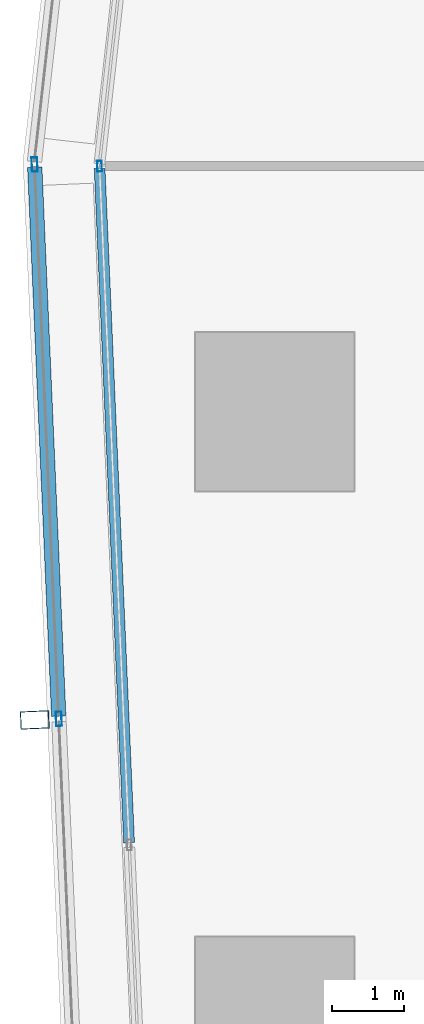
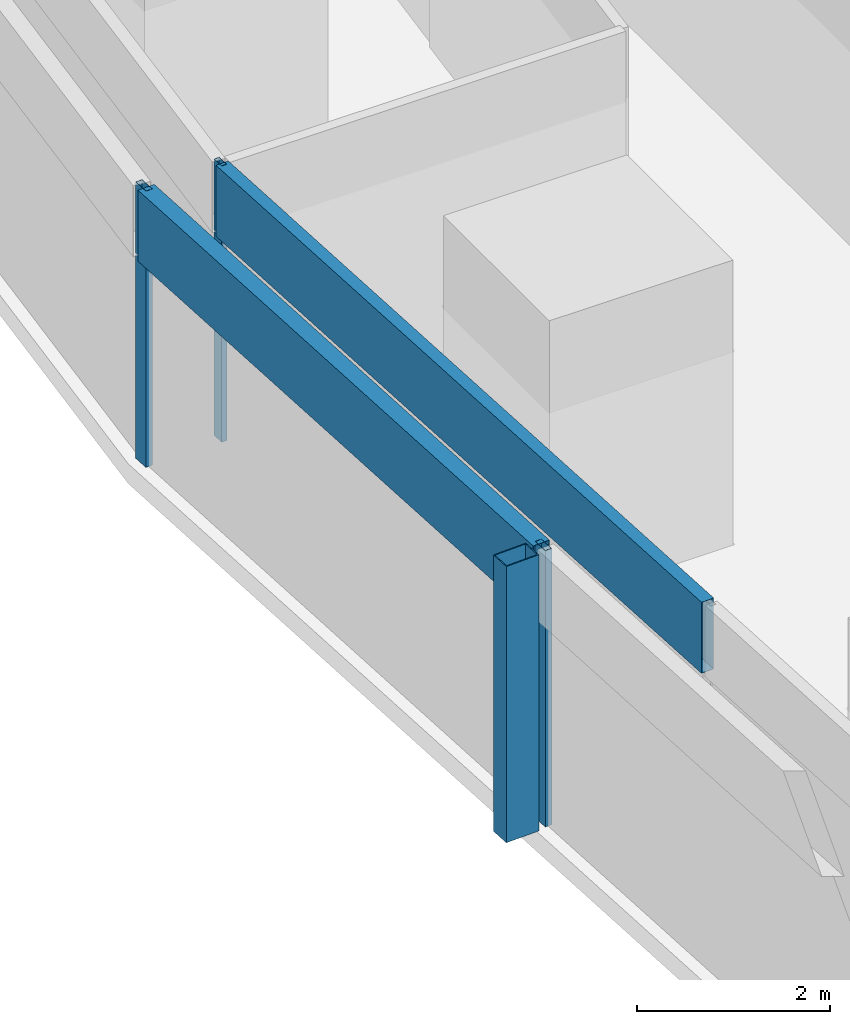
# One storey, part 14 of 44: 6 members, 2 elements without a shape of their own.
"""IFC4 building model written with IfcOpenShell, lengths in metres."""

import ifcopenshell
import ifcopenshell.guid

model = None  # the IFC model being written
_history = None  # IfcOwnerHistory: only IFC2X3 demands one
_inside = {}  # id of a spatial element -> (the spatial element, [elements in it])
_under = {}  # id of a project, library or spatial element -> (it, [spatial elements below it])
_declared = {}  # id of a project -> (the project, [libraries it declares])
_typed = {}  # id of a type object -> (the type object, [elements of that type])
_made_of = {}  # id of a material, layer set ... -> (it, [elements and type objects made of it])


def new_model(schema):
    """Start an empty IFC model of exactly this schema.

    Asked for "IFC4X3", IfcOpenShell would pick the latest addendum, in which some entities
    have other attributes; the version numbers below select the first issue.
    IFC2X3 requires an IfcOwnerHistory on every rooted entity: one is made here for all.
    """
    global model, _history
    if schema == "IFC4X3":
        model = ifcopenshell.file(schema_version=(4, 3, 0, 0))
    else:
        model = ifcopenshell.file(schema=schema)
    _inside.clear()
    _under.clear()
    _declared.clear()
    _typed.clear()
    _made_of.clear()
    _history = None
    if model.schema == "IFC2X3":
        org = make("IfcOrganization", Name="unknown")
        user = make(
            "IfcPersonAndOrganization",
            ThePerson=make("IfcPerson", FamilyName="unknown"),
            TheOrganization=org,
        )
        app = make(
            "IfcApplication",
            ApplicationDeveloper=org,
            Version="unknown",
            ApplicationFullName="unknown",
            ApplicationIdentifier="unknown",
        )
        _history = make(
            "IfcOwnerHistory",
            OwningUser=user,
            OwningApplication=app,
            ChangeAction="ADDED",
            CreationDate=0,
        )
    return model


def make(cls, **values):
    """One entity of the class cls with the attributes given. An attribute that is None is left unset."""
    return model.create_entity(
        cls, **{name: value for name, value in values.items() if value is not None}
    )


def rooted(cls, **values):
    """An entity with a GlobalId (a new one), such as an element, a storey or a relation."""
    return make(cls, GlobalId=ifcopenshell.guid.new(), OwnerHistory=_history, **values)


def si_unit(unit_type, name, prefix=None):
    """IfcSIUnit, for example si_unit("LENGTHUNIT", "METRE", prefix="MILLI")."""
    return make("IfcSIUnit", UnitType=unit_type, Prefix=prefix, Name=name)


def assignment(units):
    """IfcUnitAssignment: the units of a project."""
    return None if units is None else make("IfcUnitAssignment", Units=units)


def point(xyz):
    """IfcCartesianPoint."""
    return None if xyz is None else make("IfcCartesianPoint", Coordinates=xyz)


def direction(xyz):
    """IfcDirection."""
    return None if xyz is None else make("IfcDirection", DirectionRatios=xyz)


def frame(location, z_axis=None, x_axis=None):
    """IfcAxis2Placement3D, a coordinate frame: its origin and axes. An axis left out is left unset."""
    return make(
        "IfcAxis2Placement3D",
        Location=point(location),
        Axis=direction(z_axis),
        RefDirection=direction(x_axis),
    )


def frame_2d(location, x_axis=None):
    """IfcAxis2Placement2D, a coordinate frame in the plane: its origin and x axis."""
    return make(
        "IfcAxis2Placement2D", Location=point(location), RefDirection=direction(x_axis)
    )


def origin():
    """The frame at (0, 0, 0) with its axes left unset."""
    return frame((0.0, 0.0, 0.0))


def origin_2d():
    """The frame at (0, 0) in the plane with its x axis left unset."""
    return frame_2d((0.0, 0.0))


def place(relative_to, where):
    """IfcLocalPlacement: puts the frame where relative to a parent placement (None: the world)."""
    return make(
        "IfcLocalPlacement", PlacementRelTo=relative_to, RelativePlacement=where
    )


def context(
    kind, dimensions, precision=None, world=None, true_north=None, identifier=None
):
    """IfcGeometricRepresentationContext, for example the 3D "Model" context."""
    return make(
        "IfcGeometricRepresentationContext",
        ContextIdentifier=identifier,
        ContextType=kind,
        CoordinateSpaceDimension=dimensions,
        Precision=precision,
        WorldCoordinateSystem=world,
        TrueNorth=true_north,
    )


def subcontext(parent, identifier, kind, view, scale=None):
    """IfcGeometricRepresentationSubContext, for example "Body" below "Model"."""
    return make(
        "IfcGeometricRepresentationSubContext",
        ContextIdentifier=identifier,
        ContextType=kind,
        ParentContext=parent,
        TargetScale=scale,
        TargetView=view,
    )


def project(units=None, contexts=None):
    """IfcProject with its units and contexts."""
    return rooted(
        "IfcProject",
        Name="project",
        RepresentationContexts=contexts,
        UnitsInContext=assignment(units),
    )


def spatial(cls, under=None, at=None, **own):
    """A site, building, storey or space (cls), placed at a placement, below another one or the project."""
    s = rooted(cls, ObjectPlacement=at, **own)
    if under is not None:
        _under.setdefault(under.id(), (under, []))[1].append(s)
    return s


def profile(cls, at=None, kind="AREA", **sizes):
    """A parametric profile (cls). Its sizes go by their IFC names, for example OverallWidth=200.0."""
    return make(cls, ProfileType=kind, Position=at, **sizes)


def hollow_rectangle(**sizes):
    """IfcRectangleHollowProfileDef."""
    return profile("IfcRectangleHollowProfileDef", **sizes)


def extrude(swept, where, along, depth):
    """IfcExtrudedAreaSolid: the profile swept, set in the frame where, extruded along a direction by depth."""
    return make(
        "IfcExtrudedAreaSolid",
        SweptArea=swept,
        Position=where,
        ExtrudedDirection=direction(along),
        Depth=depth,
    )


def shape(context_of_items, identifier, shape_type, items):
    """IfcShapeRepresentation: the items that make up one representation, for example the "Body"."""
    return make(
        "IfcShapeRepresentation",
        ContextOfItems=context_of_items,
        RepresentationIdentifier=identifier,
        RepresentationType=shape_type,
        Items=items,
    )


def material(Name=None, Category=None):
    """IfcMaterial."""
    return make("IfcMaterial", Name=Name, Category=Category)


def material_profile(
    of_material, cross_section, Name=None, Category=None, Priority=None
):
    """IfcMaterialProfile: a cross section and its material."""
    return make(
        "IfcMaterialProfile",
        Name=Name,
        Material=of_material,
        Profile=cross_section,
        Priority=Priority,
        Category=Category,
    )


def profile_set(profiles, Name=None, composite=None):
    """IfcMaterialProfileSet."""
    return make(
        "IfcMaterialProfileSet",
        Name=Name,
        MaterialProfiles=profiles,
        CompositeProfile=composite,
    )


def made_of(thing, what):
    """Note that an element or type object is made of a material, layer set ...; save() writes the relation."""
    if what is not None:
        _made_of.setdefault(what.id(), (what, []))[1].append(thing)
    return thing


def type_object(cls, material=None, **own):
    """A type object (cls), such as IfcWallType, which elements share."""
    return made_of(rooted(cls, **own), material)


def element(
    cls,
    number,
    at=None,
    inside=None,
    cuts=None,
    type_object=None,
    material=None,
    context=None,
    identifier="Body",
    shape_type=None,
    held_by="IfcProductDefinitionShape",
    body=None,
    shapes=None,
    **own,
):
    """One element of the class cls, such as IfcWall. Its Tag is "e" and its number.

    at: its placement. inside: the storey or other place that contains it. cuts: it is an
    opening in that element (IfcRelVoidsElement). A single representation is given by context,
    identifier, shape_type and body (its items); several are given by shapes. held_by: the class
    of the entity that holds the representations. save() writes the other relations.
    """
    e = rooted(cls, Tag="e%d" % number, ObjectPlacement=at, **own)
    if body is not None:
        shapes = [shape(context, identifier, shape_type, body)]
    if shapes is not None:
        e.Representation = make(held_by, Representations=shapes)
    if inside is not None:
        _inside.setdefault(inside.id(), (inside, []))[1].append(e)
    if cuts is not None:
        rooted(
            "IfcRelVoidsElement", RelatingBuildingElement=cuts, RelatedOpeningElement=e
        )
    if type_object is not None:
        _typed.setdefault(type_object.id(), (type_object, []))[1].append(e)
    return made_of(e, material)


def aggregate(whole, parts):
    """IfcRelAggregates: a whole, such as a stair, and the parts it consists of."""
    return rooted("IfcRelAggregates", RelatingObject=whole, RelatedObjects=parts)


def save(model, path):
    """Write the relations noted so far, then the file.

    IfcRelAggregates (storeys below a building ...), IfcRelContainedInSpatialStructure (elements
    in a storey), IfcRelDefinesByType, IfcRelAssociatesMaterial and IfcRelDeclares: one each for
    every whole, place, type object, material and project.
    """
    for whole, parts in _under.values():
        aggregate(whole, parts)
    for where, things in _inside.values():
        rooted(
            "IfcRelContainedInSpatialStructure",
            RelatedElements=things,
            RelatingStructure=where,
        )
    for kind, things in _typed.values():
        rooted("IfcRelDefinesByType", RelatedObjects=things, RelatingType=kind)
    for what, things in _made_of.values():
        rooted("IfcRelAssociatesMaterial", RelatedObjects=things, RelatingMaterial=what)
    for by, libraries in _declared.values():
        rooted("IfcRelDeclares", RelatingContext=by, RelatedDefinitions=libraries)
    model.write(path)


model = new_model("IFC4")

# Units and contexts
model_context = context("Model", 3, precision=1e-05, world=origin(), true_north=direction((0.0, 1.0)))
body_context = subcontext(model_context, "Body", "Model", "MODEL_VIEW")
ifc_project = project(units=[si_unit("LENGTHUNIT", "METRE"), si_unit("AREAUNIT", "SQUARE_METRE"), si_unit("VOLUMEUNIT", "CUBIC_METRE"), si_unit("PLANEANGLEUNIT", "RADIAN"), si_unit("MASSUNIT", "GRAM", prefix="KILO")], contexts=[model_context])

# Site, building, storey
site_placement = place(None, origin())
site = spatial("IfcSite", under=ifc_project, at=site_placement, CompositionType="ELEMENT")
building_placement = place(site_placement, origin())
building = spatial("IfcBuilding", under=site, at=building_placement, Name="Rekha Terrace Tower", CompositionType="ELEMENT")
storey_placement = place(building_placement, frame((0.0, 0.0, 51.64990234375)))
storey = spatial("IfcBuildingStorey", under=building, at=storey_placement, Name="L12", CompositionType="ELEMENT", Elevation=51.64990234375)

# Curtain wall, member
ifc_material_1 = material(Name="Aluminium framing", Category="aluminium")
curtain_wall_type_1 = type_object("IfcCurtainWallType", Name="CW2 double skin outer glazing", PredefinedType="USERDEFINED", material=ifc_material_1)
curtain_wall_1_placement = place(storey_placement, origin())
curtain_wall_1 = element("IfcCurtainWall", 1, at=curtain_wall_1_placement, inside=storey, type_object=curtain_wall_type_1, Name="CW2 double skin outer glazing", ObjectType="DOUBLE SKIN OUTER GLAZING", PredefinedType="USERDEFINED")
ifc_material_2 = material(Name="Steel S355 with fluorocarbon finish", Category="steel")
ifc_material_profile_1 = material_profile(ifc_material_2, hollow_rectangle(XDim=0.25, YDim=0.39990234375, WallThickness=0.012451171875, at=origin_2d()), Name="RHS400x250x12.5")
ifc_profile_set_1 = profile_set([ifc_material_profile_1], Name="Steel S355 with fluorocarbon finish")
member_type_1 = type_object("IfcMemberType", Name="BL1 facade blade RHS 400 x 250", PredefinedType="USERDEFINED", material=ifc_profile_set_1)
member_1_placement = place(storey_placement, frame((5.064208984375, 37.715576171875, 0.0), z_axis=(0.0, 0.0, 1.0), x_axis=(0.04368215933, -0.999045478923, 0.0)))
member_1 = element("IfcMember", 2, at=member_1_placement, type_object=member_type_1, Name="Facade blade", ObjectType="FACADE BLADE", PredefinedType="USERDEFINED", context=body_context, shape_type="SweptSolid", body=[
    extrude(hollow_rectangle(XDim=0.25, YDim=0.39990234375, WallThickness=0.012451171875, at=origin_2d()), origin(), (0.0, 0.0, 1.0), 3.5),
])

# Curtain wall, members
curtain_wall_type_2 = type_object("IfcCurtainWallType", Name="CW1 double skin inner glazing", PredefinedType="USERDEFINED", material=ifc_material_1)
curtain_wall_2_placement = place(storey_placement, origin())
curtain_wall_2 = element("IfcCurtainWall", 3, at=curtain_wall_2_placement, inside=storey, type_object=curtain_wall_type_2, Name="CW1 double skin inner glazing", ObjectType="DOUBLE SKIN INNER GLAZING", PredefinedType="USERDEFINED")
ifc_material_3 = material(Name="Aluminium mullion section", Category="aluminium")
ifc_material_profile_2 = material_profile(ifc_material_3, hollow_rectangle(XDim=0.06494140625, YDim=0.14990234375, WallThickness=0.00390625, at=origin_2d()), Name="AL RHS 65x150")
ifc_profile_set_2 = profile_set([ifc_material_profile_2], Name="Aluminium mullion section")
member_type_2 = type_object("IfcMemberType", Name="CW1 mullion RHS 65 x 150", PredefinedType="MULLION", material=ifc_profile_set_2)
member_2_placement = place(storey_placement, frame((5.964111328125, 45.4111328125, 0.0), z_axis=(0.0, 0.0, 1.0), x_axis=(0.999045462133, 0.043682543337, 0.0)))
member_2 = element("IfcMember", 4, at=member_2_placement, type_object=member_type_2, Name="CW1 mullion 1", PredefinedType="MULLION", context=body_context, shape_type="SweptSolid", body=[
    extrude(hollow_rectangle(XDim=0.06494140625, YDim=0.14990234375, WallThickness=0.00390625, at=origin_2d()), origin(), (0.0, 0.0, 1.0), 3.5),
])
ifc_material_4 = material(Name="Insulated aluminium spandrel box", Category="aluminium")
ifc_material_profile_3 = material_profile(ifc_material_4, hollow_rectangle(XDim=0.14990234375, YDim=0.89990234375, WallThickness=0.0029296875, at=origin_2d()), Name="AL SPANDREL BOX 150x900")
ifc_profile_set_3 = profile_set([ifc_material_profile_3], Name="Insulated aluminium spandrel box")
member_type_3 = type_object("IfcMemberType", Name="CW1 spandrel transom 150 x 900", PredefinedType="USERDEFINED", material=ifc_profile_set_3)
member_3_placement = place(storey_placement, frame((5.96533203125, 45.378662109375, 3.050048828125), z_axis=(0.043689187094, -0.999045171617, 0.0), x_axis=(0.999045171617, 0.043689187094, 0.0)))
member_3 = element("IfcMember", 5, at=member_3_placement, type_object=member_type_3, Name="CW1 spandrel transom 1", ObjectType="TRANSOM", PredefinedType="USERDEFINED", context=body_context, shape_type="SweptSolid", body=[
    extrude(hollow_rectangle(XDim=0.14990234375, YDim=0.89990234375, WallThickness=0.0029296875, at=origin_2d()), origin(), (0.0, 0.0, 1.0), 9.376953125),
])
aggregate(curtain_wall_2, [member_2, member_3])

# Member
ifc_material_profile_4 = material_profile(ifc_material_3, hollow_rectangle(XDim=0.080078125, YDim=0.199951171875, WallThickness=0.00390625, at=origin_2d()), Name="AL RHS 80x200")
ifc_profile_set_4 = profile_set([ifc_material_profile_4], Name="Aluminium mullion section")
member_type_4 = type_object("IfcMemberType", Name="CW2 mullion RHS 80 x 200", PredefinedType="MULLION", material=ifc_profile_set_4)
member_4_placement = place(storey_placement, frame((5.062255859375, 45.4345703125, 0.0), z_axis=(0.0, 0.0, 1.0), x_axis=(0.999045462131, 0.043682543372, 0.0)))
member_4 = element("IfcMember", 6, at=member_4_placement, type_object=member_type_4, Name="CW2 mullion 1", PredefinedType="MULLION", context=body_context, shape_type="SweptSolid", body=[
    extrude(hollow_rectangle(XDim=0.080078125, YDim=0.199951171875, WallThickness=0.00390625, at=origin_2d()), origin(), (0.0, 0.0, 1.0), 3.5),
])

member_5_placement = place(storey_placement, frame((5.39892578125, 37.730224609375, 0.0), z_axis=(0.0, 0.0, 1.0), x_axis=(0.999045462131, 0.043682543372, 0.0)))
member_5 = element("IfcMember", 7, at=member_5_placement, type_object=member_type_4, Name="CW2 mullion 2", PredefinedType="MULLION", context=body_context, shape_type="SweptSolid", body=[
    extrude(hollow_rectangle(XDim=0.080078125, YDim=0.199951171875, WallThickness=0.00390625, at=origin_2d()), origin(), (0.0, 0.0, 1.0), 3.5),
])

ifc_material_profile_5 = material_profile(ifc_material_4, hollow_rectangle(XDim=0.199951171875, YDim=0.89990234375, WallThickness=0.0029296875, at=origin_2d()), Name="AL SPANDREL BOX 200x900")
ifc_profile_set_5 = profile_set([ifc_material_profile_5], Name="Insulated aluminium spandrel box")
member_type_5 = type_object("IfcMemberType", Name="CW2 spandrel transom 200 x 900", PredefinedType="USERDEFINED", material=ifc_profile_set_5)
member_6_placement = place(storey_placement, frame((5.06396484375, 45.39453125, 3.050048828125), z_axis=(0.043666283256, -0.99904617296, 0.0), x_axis=(0.99904617296, 0.043666283256, 0.0)))
member_6 = element("IfcMember", 8, at=member_6_placement, type_object=member_type_5, Name="CW2 spandrel transom 1", ObjectType="TRANSOM", PredefinedType="USERDEFINED", context=body_context, shape_type="SweptSolid", body=[
    extrude(hollow_rectangle(XDim=0.199951171875, YDim=0.89990234375, WallThickness=0.0029296875, at=origin_2d()), origin(), (0.0, 0.0, 1.0), 7.6318359375),
])

aggregate(curtain_wall_1, [member_4, member_5, member_6, member_1])

save(model, "model.ifc")
